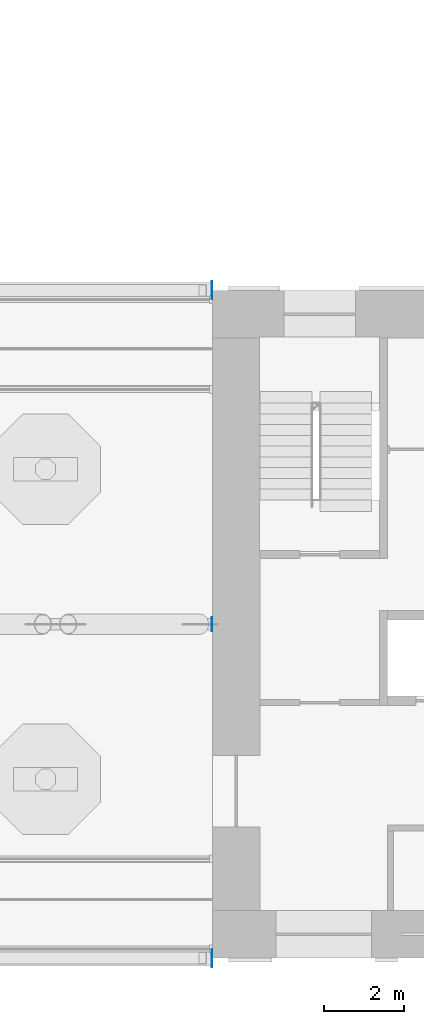
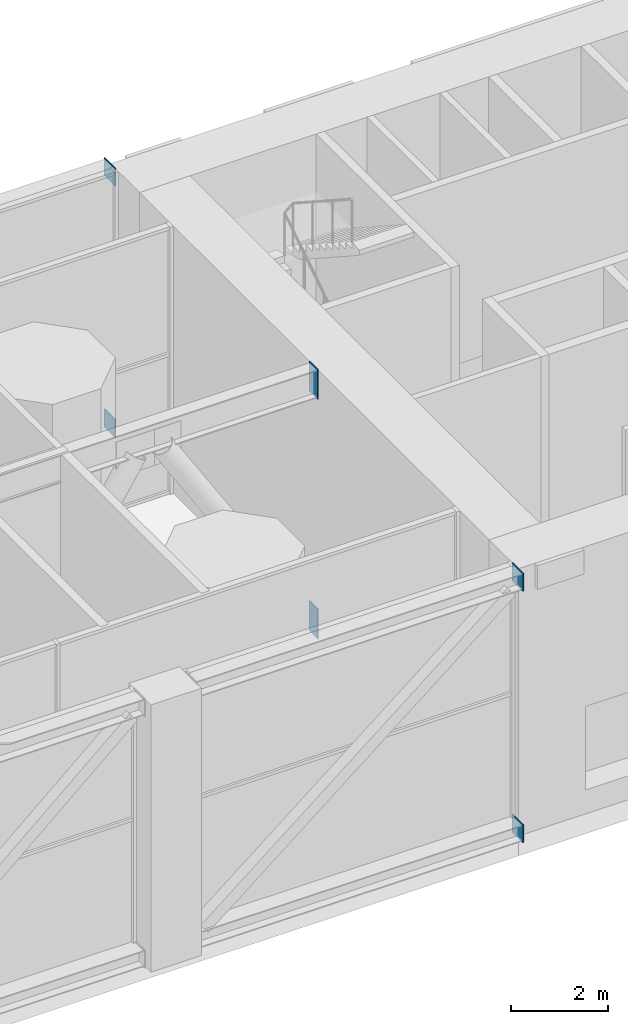
# One storey, part 14 of 20: 6 discrete accessories.
"""IFC4 building model written with IfcOpenShell, lengths in metres."""

from ifc_helpers import new_model, si_unit, direction, frame, origin, origin_2d, place, context, subcontext, project, spatial, rectangle, extrude, element, save


model = new_model("IFC4")

# Units and contexts
model_context = context("Model", 3, precision=1e-05, world=origin(), true_north=direction((0.0, 1.0)))
body_context = subcontext(model_context, "Body", "Model", "MODEL_VIEW")
ifc_project = project(units=[si_unit("LENGTHUNIT", "METRE"), si_unit("AREAUNIT", "SQUARE_METRE"), si_unit("VOLUMEUNIT", "CUBIC_METRE"), si_unit("PLANEANGLEUNIT", "RADIAN"), si_unit("MASSUNIT", "GRAM", prefix="KILO")], contexts=[model_context])

# Site, building, storey
site_placement = place(None, origin())
site = spatial("IfcSite", under=ifc_project, at=site_placement, CompositionType="ELEMENT")
building_placement = place(site_placement, origin())
building = spatial("IfcBuilding", under=site, at=building_placement, Name="Vermilion Gate Residences", CompositionType="ELEMENT")
storey_placement = place(building_placement, frame((0.0, 0.0, 207.199951171875)))
storey = spatial("IfcBuildingStorey", under=building, at=storey_placement, Name="L54", CompositionType="ELEMENT", Elevation=207.199951171875)

# Discrete accessories
for number, where, z_axis, x_axis, name in (
    (1, (41.987548828125, 8.39990234375, -0.02490234375), (0.0, 0.0, 1.0), (1.0, 0.0, 0.0), "End plate B54BELT47B 2"),
    (2, (41.987548828125, 8.39990234375, 6.294921875), (0.0, 0.0, 1.0), (1.0, 0.0, 0.0), "End plate B54BELT47T 2"),
    (3, (41.987548828125, 25.199951171875, -0.02490234375), (0.0, 0.0, 1.0), (1.0, 0.0, 0.0), "End plate B54BELT48B 2"),
    (4, (41.987548828125, 25.199951171875, 6.294921875), (0.0, 0.0, 1.0), (1.0, 0.0, 0.0), "End plate B54BELT48T 2"),
):
    element("IfcDiscreteAccessory", number, at=place(storey_placement, frame(where, z_axis=z_axis, x_axis=x_axis)), inside=storey, Name=name, ObjectType="END PLATE", PredefinedType="USERDEFINED", context=body_context, shape_type="SweptSolid", body=[
        extrude(rectangle(XDim=0.02490234375, YDim=0.449951171875, at=origin_2d()), origin(), (0.0, 0.0, 1.0), 0.449951171875),
    ])
for number, where, z_axis, x_axis, name in (
    (5, (41.987548828125, 16.800048828125, -0.02490234375), (0.0, 0.0, 1.0), (1.0, 0.0, 0.0), "End plate O54OUT8B 1"),
    (6, (41.987548828125, 16.800048828125, 5.9951171875), (0.0, 0.0, 1.0), (1.0, 0.0, 0.0), "End plate O54OUT8T 1"),
):
    element("IfcDiscreteAccessory", number, at=place(storey_placement, frame(where, z_axis=z_axis, x_axis=x_axis)), inside=storey, Name=name, ObjectType="END PLATE", PredefinedType="USERDEFINED", context=body_context, shape_type="SweptSolid", body=[
        extrude(rectangle(XDim=0.02490234375, YDim=0.35009765625, at=origin_2d()), origin(), (0.0, 0.0, 1.0), 0.75),
    ])

save(model, "model.ifc")
